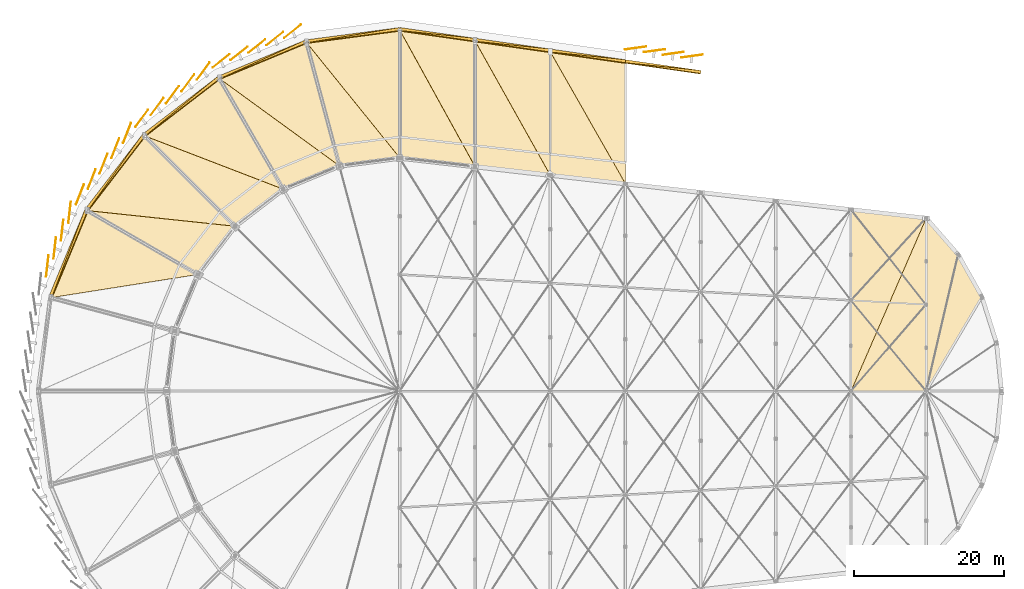
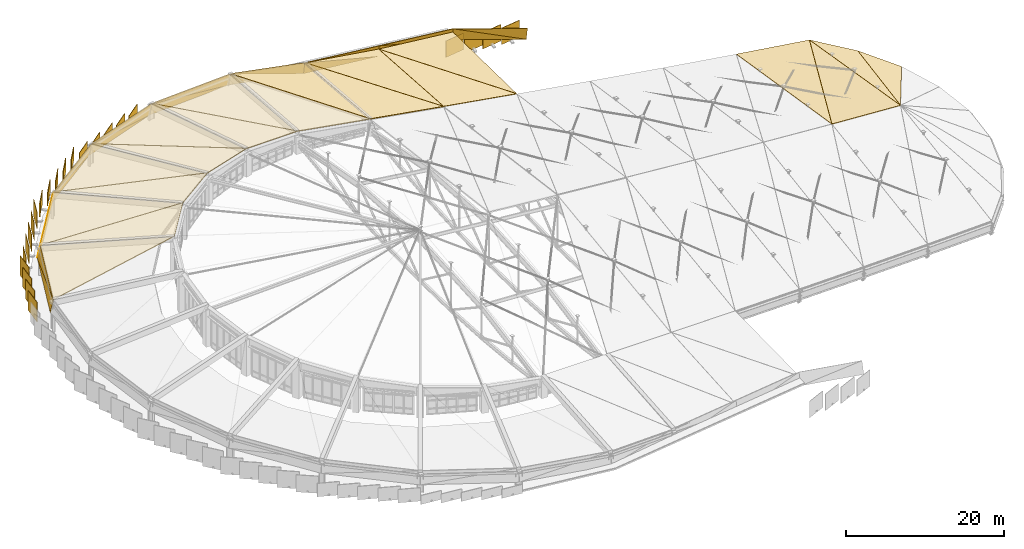
# One storey, part 68 of 68: 60 coverings.
"""IFC4 building model written with IfcOpenShell, lengths in metres."""

from ifc_helpers import new_model, si_unit, direction, frame, origin, origin_2d, place, context, subcontext, project, spatial, polyline, rectangle, outline, extrude, material, layer, layer_set, type_object, element, save


model = new_model("IFC4")

# Units and contexts
model_context = context("Model", 3, precision=1e-05, world=origin(), true_north=direction((0.0, 1.0)))
body_context = subcontext(model_context, "Body", "Model", "MODEL_VIEW")
ifc_project = project(units=[si_unit("LENGTHUNIT", "METRE"), si_unit("AREAUNIT", "SQUARE_METRE"), si_unit("VOLUMEUNIT", "CUBIC_METRE"), si_unit("PLANEANGLEUNIT", "RADIAN"), si_unit("MASSUNIT", "GRAM", prefix="KILO")], contexts=[model_context])

# Site, building, storey
site_placement = place(None, origin())
site = spatial("IfcSite", under=ifc_project, at=site_placement, CompositionType="ELEMENT")
building_placement = place(site_placement, origin())
building = spatial("IfcBuilding", under=site, at=building_placement, Name="Sohan Crest Arena", CompositionType="ELEMENT")
storey_placement = place(building_placement, frame((0.0, 0.0, 27.0)))
storey = spatial("IfcBuildingStorey", under=building, at=storey_placement, Name="RF", CompositionType="ELEMENT", Elevation=27.0)

# Coverings
ifc_material_1 = material(Name="Standing-seam insulated acoustic roof liner", Category="aluminium")
ifc_layer_1 = layer(ifc_material_1, 0.114990234375, Name="Standing-seam insulated acoustic roof liner")
ifc_layer_set_1 = layer_set([ifc_layer_1], Name="Standing-seam insulated acoustic roof liner")
covering_type_1 = type_object("IfcCoveringType", Name="COV-RF2", PredefinedType="ROOFING", material=ifc_layer_set_1)
covering_1_placement = place(storey_placement, frame((175.402099609375, 90.5400390625, -2.7060546875), z_axis=(0.296065447531, 0.14316557398, 0.944377503547), x_axis=(-0.491480358456, 0.870608246218, 0.022098390654)))
element("IfcCovering", 1, at=covering_1_placement, inside=storey, type_object=covering_type_1, Name="Standing-seam acoustic roof covering RF-CV-033", PredefinedType="ROOFING", context=body_context, shape_type="SweptSolid", body=[
    extrude(outline(polyline([(0.0, 0.0), (6.429872924986192, -1.734723475976807e-16), (-7.1728371186850035, 13.332230407111991), (0.0, 0.0)])), origin(), (0.0, 0.0, -1.0), 0.114990234375),
])
covering_2_placement = place(storey_placement, frame((172.237060546875, 96.14501953125, -2.56396484375), z_axis=(0.234364478694, 0.160814032028, 0.958755515358), x_axis=(-0.65834199579, 0.751913639659, 0.034809410721)))
element("IfcCovering", 2, at=covering_2_placement, inside=storey, type_object=covering_type_1, Name="Standing-seam acoustic roof covering RF-CV-034", PredefinedType="ROOFING", context=body_context, shape_type="SweptSolid", body=[
    extrude(outline(polyline([(0.0, 0.0), (6.431506551995299, -2.0816681711721685e-16), (-10.693792295661725, 15.761565971846352), (0.0, 0.0)])), origin(), (0.0, 0.0, -1.0), 0.114990234375),
])
covering_3_placement = place(storey_placement, frame((167.987060546875, 100.985107421875, -2.340087890625), z_axis=(0.079049473462, 0.157283308497, 0.984384651248), x_axis=(-0.991647406109, 0.113360935681, 0.061520079796)))
element("IfcCovering", 3, at=covering_3_placement, inside=storey, type_object=covering_type_1, Name="Standing-seam acoustic roof covering RF-CV-035", PredefinedType="ROOFING", context=body_context, shape_type="SweptSolid", body=[
    extrude(outline(polyline([(0.0, 0.0), (10.064041318783786, 1.3877787807814457e-16), (7.569456190165673, 24.27274253792306), (0.0, 0.0)])), origin(), (0.0, 0.0, -1.0), 0.114990234375),
])
covering_4_placement = place(storey_placement, frame((167.992919921875, 100.968994140625, -2.340087890625), z_axis=(0.061045388491, 0.165110990997, 0.984383980567), x_axis=(-0.39251653499, -0.902793791766, 0.175767287367)))
element("IfcCovering", 4, at=covering_4_placement, inside=storey, type_object=covering_type_1, Name="Standing-seam acoustic roof covering RF-CV-036", PredefinedType="ROOFING", context=body_context, shape_type="SweptSolid", body=[
    extrude(outline(polyline([(0.0, 0.0), (25.425630716407746, -1.9914625504213745e-15), (21.399541607322334, 9.152794627910483), (0.0, 0.0)])), origin(), (0.0, 0.0, -1.0), 0.114990234375),
])
covering_5_placement = place(storey_placement, frame((97.991943359375, 109.02197265625, 3.27197265625), z_axis=(0.050367447576, 0.085043371256, 0.995103384192), x_axis=(0.0, 0.996368019697, -0.08515144934)))
element("IfcCovering", 5, at=covering_5_placement, inside=storey, type_object=covering_type_1, Name="Standing-seam acoustic roof covering RF-CV-049", PredefinedType="ROOFING", context=body_context, shape_type="SweptSolid", body=[
    extrude(outline(polyline([(0.0, 0.0), (17.02790948497241, 0.0), (15.335465261930256, 12.413705256790529), (0.0, 0.0)])), origin(), (0.0, 0.0, -1.0), 0.114990234375),
])
covering_6_placement = place(storey_placement, frame((97.986083984375, 109.010009765625, 3.27197265625), z_axis=(0.080535463488, 0.109243871098, 0.990747099793), x_axis=(-0.628385122436, 0.777132095967, -0.034609873136)))
element("IfcCovering", 6, at=covering_6_placement, inside=storey, type_object=covering_type_1, Name="Standing-seam acoustic roof covering RF-CV-050", PredefinedType="ROOFING", context=body_context, shape_type="SweptSolid", body=[
    extrude(outline(polyline([(0.0, 0.0), (19.730246494863795, 4.718447854656915e-16), (4.18591879415617, 6.949148391085508), (0.0, 0.0)])), origin(), (0.0, 0.0, -1.0), 0.114990234375),
])
covering_7_placement = place(storey_placement, frame((89.962890625, 107.962890625, 4.0390625), z_axis=(0.023764008276, 0.094427667193, 0.995248053291), x_axis=(-0.257875109561, 0.962418298802, -0.085155422612)))
element("IfcCovering", 7, at=covering_7_placement, inside=storey, type_object=covering_type_1, Name="Standing-seam acoustic roof covering RF-CV-051", PredefinedType="ROOFING", context=body_context, shape_type="SweptSolid", body=[
    extrude(outline(polyline([(0.0, 0.0), (17.027114978644033, -2.914335439641036e-16), (15.338168815716916, 12.412947981430916), (0.0, 0.0)])), origin(), (0.0, 0.0, -1.0), 0.114990234375),
])
covering_8_placement = place(storey_placement, frame((89.9609375, 107.949951171875, 4.0390625), z_axis=(0.045551338616, 0.124122815708, 0.99122076359), x_axis=(-0.808080883622, 0.587940398529, -0.036487988452)))
element("IfcCovering", 8, at=covering_8_placement, inside=storey, type_object=covering_type_1, Name="Standing-seam acoustic roof covering RF-CV-052", PredefinedType="ROOFING", context=body_context, shape_type="SweptSolid", body=[
    extrude(outline(polyline([(0.0, 0.0), (19.73171812613237, 1.2073675392798577e-15), (4.185832923773577, 6.945971145096835), (0.0, 0.0)])), origin(), (0.0, 0.0, -1.0), 0.114990234375),
])
covering_9_placement = place(storey_placement, frame((82.48193359375, 104.862060546875, 4.76904296875), z_axis=(-0.007817407945, 0.093739295611, 0.995566086501), x_axis=(-0.498207610236, 0.862865871432, -0.085156708605)))
element("IfcCovering", 9, at=covering_9_placement, inside=storey, type_object=covering_type_1, Name="Standing-seam acoustic roof covering RF-CV-053", PredefinedType="ROOFING", context=body_context, shape_type="SweptSolid", body=[
    extrude(outline(polyline([(0.0, 0.0), (17.02685784392425, -1.1032841307212493e-15), (15.346208693990494, 12.40850660611722), (0.0, 0.0)])), origin(), (0.0, 0.0, -1.0), 0.114990234375),
])
covering_10_placement = place(storey_placement, frame((82.48291015625, 104.847900390625, 4.76904296875), z_axis=(0.003912997801, 0.12384040374, 0.992294433548), x_axis=(-0.932528440258, 0.358750428053, -0.041095480069)))
element("IfcCovering", 10, at=covering_10_placement, inside=storey, type_object=covering_type_1, Name="Standing-seam acoustic roof covering RF-CV-054", PredefinedType="ROOFING", context=body_context, shape_type="SweptSolid", body=[
    extrude(outline(polyline([(0.0, 0.0), (19.735385859824568, 1.942890293094024e-16), (4.18446371224711, 6.937197780232343), (0.0, 0.0)])), origin(), (0.0, 0.0, -1.0), 0.114990234375),
])
covering_11_placement = place(storey_placement, frame((76.05908203125, 99.928955078125, 5.407958984375), z_axis=(-0.039873474629, 0.080496667056, 0.995957023477), x_axis=(-0.704538690199, 0.704538690199, -0.08514968012)))
element("IfcCovering", 11, at=covering_11_placement, inside=storey, type_object=covering_type_1, Name="Standing-seam acoustic roof covering RF-CV-055", PredefinedType="ROOFING", context=body_context, shape_type="SweptSolid", body=[
    extrude(outline(polyline([(0.0, 0.0), (17.02826328686984, 9.020562075079397e-17), (15.3597883049684, 12.403655679457707), (0.0, 0.0)])), origin(), (0.0, 0.0, -1.0), 0.114990234375),
])
covering_12_placement = place(storey_placement, frame((76.06396484375, 99.9169921875, 5.407958984375), z_axis=(-0.037109766296, 0.105580503115, 0.993718080045), x_axis=(-0.993284354656, 0.105150480163, -0.048265591447)))
element("IfcCovering", 12, at=covering_12_placement, inside=storey, type_object=covering_type_1, Name="Standing-seam acoustic roof covering RF-CV-056", PredefinedType="ROOFING", context=body_context, shape_type="SweptSolid", body=[
    extrude(outline(polyline([(0.0, 0.0), (19.74244655051211, 4.163336342344337e-16), (4.187252745382127, 6.924581844562927), (0.0, 0.0)])), origin(), (0.0, 0.0, -1.0), 0.114990234375),
])
covering_13_placement = place(storey_placement, frame((71.1298828125, 93.50390625, 5.905029296875), z_axis=(-0.066691254211, 0.054781515904, 0.99626866965), x_axis=(-0.862859707458, 0.498218389695, -0.085156100279)))
element("IfcCovering", 13, at=covering_13_placement, inside=storey, type_object=covering_type_1, Name="Standing-seam acoustic roof covering RF-CV-057", PredefinedType="ROOFING", context=body_context, shape_type="SweptSolid", body=[
    extrude(outline(polyline([(0.0, 0.0), (17.026979477957447, 2.220446049250313e-16), (15.373317901697241, 12.40012902382404), (0.0, 0.0)])), origin(), (0.0, 0.0, -1.0), 0.114990234375),
])
covering_14_placement = place(storey_placement, frame((127.992919921875, 105.593017578125, 0.587890625), z_axis=(0.002365908166, 0.016560546918, 0.999860065591), x_axis=(0.0, 0.999862863972, -0.016560593268)))
element("IfcCovering", 14, at=covering_14_placement, inside=storey, type_object=covering_type_1, Name="Standing-seam acoustic roof covering RF-CV-111", PredefinedType="ROOFING", context=body_context, shape_type="SweptSolid", body=[
    extrude(outline(polyline([(0.0, 0.0), (16.11329369746797, 2.168404344971009e-19), (17.538879421490787, 9.980008400444632), (0.0, 0.0)])), origin(), (0.0, 0.0, -1.0), 0.114990234375),
])
covering_15_placement = place(storey_placement, frame((127.987060546875, 105.5830078125, 0.587890625), z_axis=(0.093410699905, 0.068271830998, 0.993284147782), x_axis=(-0.494554756656, 0.869045875046, -0.013223453912)))
element("IfcCovering", 15, at=covering_15_placement, inside=storey, type_object=covering_type_1, Name="Standing-seam acoustic roof covering RF-CV-112", PredefinedType="ROOFING", context=body_context, shape_type="SweptSolid", body=[
    extrude(outline(polyline([(0.0, 0.0), (20.179727996596498, 1.491862189340054e-16), (5.9159530113368985, 8.163543006691086), (0.0, 0.0)])), origin(), (0.0, 0.0, -1.0), 0.114990234375),
])
covering_16_placement = place(storey_placement, frame((117.992919921875, 106.737060546875, 1.447998046875), z_axis=(0.066920646942, 0.068417932428, 0.995409771669), x_axis=(0.0, 0.997646194246, -0.068571649433)))
element("IfcCovering", 16, at=covering_16_placement, inside=storey, type_object=covering_type_1, Name="Standing-seam acoustic roof covering RF-CV-113", PredefinedType="ROOFING", context=body_context, shape_type="SweptSolid", body=[
    extrude(outline(polyline([(0.0, 0.0), (16.434680138421086, -1.3877787807814457e-17), (17.81708325721878, 10.002402846218144), (0.0, 0.0)])), origin(), (0.0, 0.0, -1.0), 0.114990234375),
])
covering_17_placement = place(storey_placement, frame((117.987060546875, 106.72705078125, 1.447998046875), z_axis=(0.098846336152, 0.086170930041, 0.991364702138), x_axis=(-0.48843104729, 0.872181229437, -0.02711116117)))
element("IfcCovering", 17, at=covering_17_placement, inside=storey, type_object=covering_type_1, Name="Standing-seam acoustic roof covering RF-CV-114", PredefinedType="ROOFING", context=body_context, shape_type="SweptSolid", body=[
    extrude(outline(polyline([(0.0, 0.0), (20.432731547512162, -1.1102230246251565e-15), (5.844433727997373, 8.218562443965363), (0.0, 0.0)])), origin(), (0.0, 0.0, -1.0), 0.114990234375),
])
covering_18_placement = place(storey_placement, frame((107.992919921875, 107.8798828125, 2.343994140625), z_axis=(0.104433952215, 0.086121494262, 0.990795961766), x_axis=(0.0, 0.996243596753, -0.086595010993)))
element("IfcCovering", 18, at=covering_18_placement, inside=storey, type_object=covering_type_1, Name="Standing-seam acoustic roof covering RF-CV-115", PredefinedType="ROOFING", context=body_context, shape_type="SweptSolid", body=[
    extrude(outline(polyline([(0.0, 0.0), (16.744049746588125, -2.7755575615628914e-17), (18.084360101043377, 10.034852806620545), (0.0, 0.0)])), origin(), (0.0, 0.0, -1.0), 0.114990234375),
])
covering_19_placement = place(storey_placement, frame((107.987060546875, 107.8701171875, 2.343994140625), z_axis=(0.101848056804, 0.08470865895, 0.991186872605), x_axis=(-0.482550815236, 0.875504275229, -0.025238359092)))
element("IfcCovering", 19, at=covering_19_placement, inside=storey, type_object=covering_type_1, Name="Standing-seam acoustic roof covering RF-CV-116", PredefinedType="ROOFING", context=body_context, shape_type="SweptSolid", body=[
    extrude(outline(polyline([(0.0, 0.0), (20.68171921719702, 4.163336342344337e-17), (5.791262866326451, 8.259782750849553), (0.0, 0.0)])), origin(), (0.0, 0.0, -1.0), 0.114990234375),
])
ifc_material_2 = material(Name="Glazed ivory trencadis ceramic cladding", Category="masonry")
ifc_layer_2 = layer(ifc_material_2, 0.06494140625, Name="Glazed ivory trencadis ceramic cladding")
ifc_layer_set_2 = layer_set([ifc_layer_2], Name="Glazed ivory trencadis ceramic cladding")
covering_type_2 = type_object("IfcCoveringType", Name="COV-SC-IV", PredefinedType="CLADDING", material=ifc_layer_set_2)
covering_20_placement = place(storey_placement, frame((97.9541015625, 126.346923828125, -0.10888671875), z_axis=(-0.115232737871, 0.971697500457, 0.206216836677), x_axis=(-0.98958873119, -0.13031805223, 0.061084763775)))
element("IfcCovering", 20, at=covering_20_placement, inside=storey, type_object=covering_type_2, Name="Rising white parabolic roof-edge nose fascia NF-0639", PredefinedType="CLADDING", context=body_context, shape_type="SweptSolid", body=[
    extrude(outline(polyline([(0.0, 0.0), (12.553796654686424, 0.0), (12.66917241511472, 1.9384630790696722), (0.0, 0.0)])), origin(), (0.0, 0.0, -1.0), 0.0849609375),
])
covering_21_placement = place(storey_placement, frame((97.9541015625, 126.346923828125, -0.10888671875), z_axis=(-0.115226508258, 0.971692857842, 0.206242192128), x_axis=(-0.965162729612, -0.158619050475, 0.20808868829)))
element("IfcCovering", 21, at=covering_21_placement, inside=storey, type_object=covering_type_2, Name="Rising white parabolic roof-edge nose fascia NF-0640", PredefinedType="CLADDING", context=body_context, shape_type="SweptSolid", body=[
    extrude(outline(polyline([(0.0, 0.0), (12.816613000041002, -4.440892098500626e-16), (0.4071827236377576, 1.898479696569255), (0.0, 0.0)])), origin(), (0.0, 0.0, -1.0), 0.0849609375),
])
covering_22_placement = place(storey_placement, frame((85.443115234375, 124.68701171875, 0.657958984375), z_axis=(-0.363355565582, 0.908637516103, 0.205792607474), x_axis=(-0.922329665907, -0.382002417512, 0.058156172523)))
element("IfcCovering", 22, at=covering_22_placement, inside=storey, type_object=covering_type_2, Name="Rising white parabolic roof-edge nose fascia NF-0641", PredefinedType="CLADDING", context=body_context, shape_type="SweptSolid", body=[
    extrude(outline(polyline([(0.0, 0.0), (12.552072068627503, 1.1102230246251565e-16), (12.662403232080717, 1.9385770069499504), (0.0, 0.0)])), origin(), (0.0, 0.0, -1.0), 0.0849609375),
])
covering_23_placement = place(storey_placement, frame((85.443115234375, 124.68701171875, 0.657958984375), z_axis=(-0.363399625182, 0.908655312189, 0.205636173979), x_axis=(-0.891813168828, -0.403129360098, 0.205319241506)))
element("IfcCovering", 23, at=covering_23_placement, inside=storey, type_object=covering_type_2, Name="Rising white parabolic roof-edge nose fascia NF-0642", PredefinedType="CLADDING", context=body_context, shape_type="SweptSolid", body=[
    extrude(outline(polyline([(0.0, 0.0), (12.809938970334057, 0.0), (0.40255202052273625, 1.899460654716483), (0.0, 0.0)])), origin(), (0.0, 0.0, -1.0), 0.0849609375),
])
for number, where, z_axis, x_axis, name in (
    (24, (83.75390625, 125.85888671875, -0.12451171875), (0.0, 0.0, 1.0), (-0.782608156852, -0.622514636638, 0.0), "Upper nose rotated white scale panel SC-0643"),
    (25, (81.373046875, 124.873046875, -0.12451171875), (0.0, 0.0, 1.0), (-0.782608156852, -0.622514636638, 0.0), "Upper nose rotated white scale panel SC-0644"),
    (26, (78.992919921875, 123.886962890625, -0.12451171875), (0.0, 0.0, 1.0), (-0.782608156852, -0.622514636638, 0.0), "Upper nose rotated white scale panel SC-0645"),
    (27, (76.612060546875, 122.90087890625, -0.12451171875), (0.0, 0.0, 1.0), (-0.782608156852, -0.622514636638, 0.0), "Upper nose rotated white scale panel SC-0646"),
    (28, (74.23193359375, 121.9150390625, -0.12451171875), (0.0, 0.0, 1.0), (-0.782608156852, -0.622514636638, 0.0), "Upper nose rotated white scale panel SC-0647"),
):
    element("IfcCovering", number, at=place(storey_placement, frame(where, z_axis=z_axis, x_axis=x_axis)), inside=storey, type_object=covering_type_2, Name=name, PredefinedType="CLADDING", context=body_context, shape_type="SweptSolid", body=[
        extrude(rectangle(XDim=2.85009765625, YDim=0.06494140625, at=origin_2d()), origin(), (0.0, 0.0, 1.0), 1.373046875),
    ])
covering_24_placement = place(storey_placement, frame((73.787109375, 119.846923828125, 1.387939453125), z_axis=(-0.587288343158, 0.782667438898, 0.206213680631), x_axis=(-0.792330648522, -0.607961364042, 0.050942352166)))
element("IfcCovering", 29, at=covering_24_placement, inside=storey, type_object=covering_type_2, Name="Rising white parabolic roof-edge nose fascia NF-0648", PredefinedType="CLADDING", context=body_context, shape_type="SweptSolid", body=[
    extrude(outline(polyline([(0.0, 0.0), (12.546734280586904, -2.220446049250313e-16), (12.644255207337746, 1.9391865944940327), (0.0, 0.0)])), origin(), (0.0, 0.0, -1.0), 0.0849609375),
])
covering_25_placement = place(storey_placement, frame((73.787109375, 119.846923828125, 1.387939453125), z_axis=(-0.587345671982, 0.782675467721, 0.206019838442), x_axis=(-0.758124437597, -0.62116849358, 0.198486875387)))
element("IfcCovering", 30, at=covering_25_placement, inside=storey, type_object=covering_type_2, Name="Rising white parabolic roof-edge nose fascia NF-0649", PredefinedType="CLADDING", context=body_context, shape_type="SweptSolid", body=[
    extrude(outline(polyline([(0.0, 0.0), (12.792092651187023, 0.0), (0.3904421177665718, 1.902147138220964), (0.0, 0.0)])), origin(), (0.0, 0.0, -1.0), 0.0849609375),
])
for number, where, z_axis, x_axis, name in (
    (31, (71.85205078125, 120.541015625, -0.12451171875), (0.0, 0.0, 1.0), (-0.594822786751, -0.803856860617, 0.0), "Upper nose rotated white scale panel SC-0650"),
    (32, (69.80810546875, 118.972900390625, -0.12451171875), (0.0, 0.0, 1.0), (-0.594822786751, -0.803856860617, 0.0), "Upper nose rotated white scale panel SC-0651"),
    (33, (67.763916015625, 117.404052734375, -0.12451171875), (0.0, 0.0, 1.0), (-0.594822786751, -0.803856860617, 0.0), "Upper nose rotated white scale panel SC-0652"),
    (34, (65.719970703125, 115.8359375, -0.12451171875), (0.0, 0.0, 1.0), (-0.594822786751, -0.803856860617, 0.0), "Upper nose rotated white scale panel SC-0653"),
    (35, (63.676025390625, 114.26708984375, -0.12451171875), (0.0, 0.0, 1.0), (-0.594822786751, -0.803856860617, 0.0), "Upper nose rotated white scale panel SC-0654"),
):
    element("IfcCovering", number, at=place(storey_placement, frame(where, z_axis=z_axis, x_axis=x_axis)), inside=storey, type_object=covering_type_2, Name=name, PredefinedType="CLADDING", context=body_context, shape_type="SweptSolid", body=[
        extrude(rectangle(XDim=2.85009765625, YDim=0.06494140625, at=origin_2d()), origin(), (0.0, 0.0, 1.0), 2.056884765625),
    ])
covering_26_placement = place(storey_placement, frame((63.781005859375, 112.154052734375, 2.027099609375), z_axis=(-0.771342293702, 0.602152879021, 0.206016931906), x_axis=(-0.608273828775, -0.792737870756, 0.039618398462)))
element("IfcCovering", 36, at=covering_26_placement, inside=storey, type_object=covering_type_2, Name="Rising white parabolic roof-edge nose fascia NF-0655", PredefinedType="CLADDING", context=body_context, shape_type="SweptSolid", body=[
    extrude(outline(polyline([(0.0, 0.0), (12.540289137311671, 2.7755575615628914e-16), (12.614789052245563, 1.940375877360645), (0.0, 0.0)])), origin(), (0.0, 0.0, -1.0), 0.0849609375),
])
covering_27_placement = place(storey_placement, frame((63.781005859375, 112.154052734375, 2.027099609375), z_axis=(-0.771286148751, 0.602158301264, 0.20621119505), x_axis=(-0.572747277413, -0.797928659743, 0.187804180404)))
element("IfcCovering", 37, at=covering_27_placement, inside=storey, type_object=covering_type_2, Name="Rising white parabolic roof-edge nose fascia NF-0656", PredefinedType="CLADDING", context=body_context, shape_type="SweptSolid", body=[
    extrude(outline(polyline([(0.0, 0.0), (12.763148568362649, 0.0), (0.36863754261099735, 1.9063214161304052), (0.0, 0.0)])), origin(), (0.0, 0.0, -1.0), 0.0849609375),
])
for number, where, z_axis, x_axis, name in (
    (38, (61.73291015625, 112.323974609375, -0.12451171875), (0.0, 0.0, 1.0), (-0.366501226724, -0.930417567982, 0.0), "Upper nose rotated white scale panel SC-0657"),
    (39, (60.1640625, 110.280029296875, -0.12451171875), (0.0, 0.0, 1.0), (-0.366501226724, -0.930417567982, 0.0), "Upper nose rotated white scale panel SC-0658"),
    (40, (58.595947265625, 108.236083984375, -0.12451171875), (0.0, 0.0, 1.0), (-0.366501226724, -0.930417567982, 0.0), "Upper nose rotated white scale panel SC-0659"),
    (41, (57.027099609375, 106.19189453125, -0.12451171875), (0.0, 0.0, 1.0), (-0.366501226724, -0.930417567982, 0.0), "Upper nose rotated white scale panel SC-0660"),
    (42, (55.458984375, 104.14794921875, -0.12451171875), (0.0, 0.0, 1.0), (-0.366501226724, -0.930417567982, 0.0), "Upper nose rotated white scale panel SC-0661"),
):
    element("IfcCovering", number, at=place(storey_placement, frame(where, z_axis=z_axis, x_axis=x_axis)), inside=storey, type_object=covering_type_2, Name=name, PredefinedType="CLADDING", context=body_context, shape_type="SweptSolid", body=[
        extrude(rectangle(XDim=2.85009765625, YDim=0.06494140625, at=origin_2d()), origin(), (0.0, 0.0, 1.0), 2.625),
    ])
covering_28_placement = place(storey_placement, frame((56.10791015625, 102.134033203125, 2.52392578125), z_axis=(-0.902148891535, 0.379243548991, 0.205673790385), x_axis=(-0.38252906664, -0.923601239311, 0.025144858708)))
element("IfcCovering", 43, at=covering_28_placement, inside=storey, type_object=covering_type_2, Name="Rising white parabolic roof-edge nose fascia NF-0662", PredefinedType="CLADDING", context=body_context, shape_type="SweptSolid", body=[
    extrude(outline(polyline([(0.0, 0.0), (12.534790930056278, 1.1102230246251565e-16), (12.582605931663716, 1.9408206736760252), (0.0, 0.0)])), origin(), (0.0, 0.0, -1.0), 0.0849609375),
])
covering_29_placement = place(storey_placement, frame((56.10791015625, 102.134033203125, 2.52392578125), z_axis=(-0.902113775104, 0.379255289271, 0.205806128014), x_axis=(-0.347646174842, -0.921341944755, 0.173986085517)))
element("IfcCovering", 44, at=covering_29_placement, inside=storey, type_object=covering_type_2, Name="Rising white parabolic roof-edge nose fascia NF-0663", PredefinedType="CLADDING", context=body_context, shape_type="SweptSolid", body=[
    extrude(outline(polyline([(0.0, 0.0), (12.731408284981956, 0.0), (0.3433042203565236, 1.9111242737690732), (0.0, 0.0)])), origin(), (0.0, 0.0, -1.0), 0.0849609375),
])
for number, where, z_axis, x_axis, name in (
    (45, (54.0849609375, 101.76806640625, -0.12548828125), (0.0, 0.0, 1.0), (-0.113203213768, -0.993571855677, 0.0), "Upper nose rotated white scale panel SC-0664"),
    (46, (53.09912109375, 99.387939453125, -0.12548828125), (0.0, 0.0, 1.0), (-0.113203213768, -0.993571855677, 0.0), "Upper nose rotated white scale panel SC-0665"),
    (47, (52.113037109375, 97.007080078125, -0.12548828125), (0.0, 0.0, 1.0), (-0.113203213768, -0.993571855677, 0.0), "Upper nose rotated white scale panel SC-0666"),
    (48, (51.126953125, 94.626953125, -0.12548828125), (0.0, 0.0, 1.0), (-0.113203213768, -0.993571855677, 0.0), "Upper nose rotated white scale panel SC-0667"),
):
    element("IfcCovering", number, at=place(storey_placement, frame(where, z_axis=z_axis, x_axis=x_axis)), inside=storey, type_object=covering_type_2, Name=name, PredefinedType="CLADDING", context=body_context, shape_type="SweptSolid", body=[
        extrude(rectangle(XDim=2.85009765625, YDim=0.06494140625, at=origin_2d()), origin(), (0.0, 0.0, 1.0), 3.031005859375),
    ])
covering_30_placement = place(storey_placement, frame((138.049072265625, 120.632080078125, -3.610107421875), z_axis=(0.190647526987, 0.959966406243, 0.205226751029), x_axis=(-0.958478169197, 0.136868623331, 0.250173098313)))
element("IfcCovering", 49, at=covering_30_placement, inside=storey, type_object=covering_type_2, Name="Rising white parabolic roof-edge nose fascia NF-0753", PredefinedType="CLADDING", context=body_context, shape_type="SweptSolid", body=[
    extrude(outline(polyline([(0.0, 0.0), (10.433205806213808, -4.440892098500626e-16), (10.908265278244006, 1.8823232797791989), (0.0, 0.0)])), origin(), (0.0, 0.0, -1.0), 0.0849609375),
])
covering_31_placement = place(storey_placement, frame((138.049072265625, 120.632080078125, -3.610107421875), z_axis=(0.190637023291, 0.959973863972, 0.205201622416), x_axis=(-0.908457501631, 0.093315942933, 0.407427419947)))
element("IfcCovering", 50, at=covering_31_placement, inside=storey, type_object=covering_type_2, Name="Rising white parabolic roof-edge nose fascia NF-0754", PredefinedType="CLADDING", context=body_context, shape_type="SweptSolid", body=[
    extrude(outline(polyline([(0.0, 0.0), (11.069480218607488, 8.881784197001252e-16), (0.7883221775292478, 1.7743444767789047), (0.0, 0.0)])), origin(), (0.0, 0.0, -1.0), 0.0849609375),
])
for number, where, z_axis, x_axis, name in (
    (51, (136.85498046875, 122.547119140625, -4.62451171875), (0.0, 0.0, 1.0), (-0.990509463238, -0.137444546037, 0.0), "Upper nose rotated white scale panel SC-0755"),
    (52, (134.35498046875, 122.904052734375, -4.62451171875), (0.0, 0.0, 1.0), (-0.990509463238, -0.137444546037, 0.0), "Upper nose rotated white scale panel SC-0756"),
    (53, (131.85498046875, 123.260986328125, -4.62451171875), (0.0, 0.0, 1.0), (-0.990509463238, -0.137444546037, 0.0), "Upper nose rotated white scale panel SC-0757"),
    (54, (129.35498046875, 123.617919921875, -4.62451171875), (0.0, 0.0, 1.0), (-0.990509463238, -0.137444546037, 0.0), "Upper nose rotated white scale panel SC-0758"),
):
    element("IfcCovering", number, at=place(storey_placement, frame(where, z_axis=z_axis, x_axis=x_axis)), inside=storey, type_object=covering_type_2, Name=name, PredefinedType="CLADDING", context=body_context, shape_type="SweptSolid", body=[
        extrude(rectangle(XDim=2.85009765625, YDim=0.06494140625, at=origin_2d()), origin(), (0.0, 0.0, 1.0), 2.544921875),
    ])
covering_32_placement = place(storey_placement, frame((128.050048828125, 122.06005859375, -1.0), z_axis=(0.138436743276, 0.968797027952, 0.205590823587), x_axis=(-0.989944175879, 0.141458575718, 0.0)))
element("IfcCovering", 55, at=covering_32_placement, inside=storey, type_object=covering_type_2, Name="Rising white parabolic roof-edge nose fascia NF-0759", PredefinedType="CLADDING", context=body_context, shape_type="SweptSolid", body=[
    extrude(outline(polyline([(0.0, 0.0), (10.10157970890193, 1.1102230246251565e-16), (10.102255236646936, 1.9413738953244686), (0.0, 0.0)])), origin(), (0.0, 0.0, -1.0), 0.0849609375),
])
covering_33_placement = place(storey_placement, frame((128.050048828125, 122.06005859375, -1.0), z_axis=(0.138436743276, 0.968797027952, 0.205590823587), x_axis=(-0.977644401221, 0.100507939, 0.184687787792)))
element("IfcCovering", 56, at=covering_33_placement, inside=storey, type_object=covering_type_2, Name="Rising white parabolic roof-edge nose fascia NF-0760", PredefinedType="CLADDING", context=body_context, shape_type="SweptSolid", body=[
    extrude(outline(polyline([(0.0, 0.0), (10.287103259314925, -4.440892098500626e-16), (0.3670379172803441, 1.906362039347076), (0.0, 0.0)])), origin(), (0.0, 0.0, -1.0), 0.0849609375),
])
covering_34_placement = place(storey_placement, frame((118.049072265625, 123.489013671875, -1.0), z_axis=(0.138346048658, 0.968824440596, 0.205522685181), x_axis=(-0.989957709412, 0.141363834042, 0.0)))
element("IfcCovering", 57, at=covering_34_placement, inside=storey, type_object=covering_type_2, Name="Rising white parabolic roof-edge nose fascia NF-0761", PredefinedType="CLADDING", context=body_context, shape_type="SweptSolid", body=[
    extrude(outline(polyline([(0.0, 0.0), (10.10144161202185, -5.551115123125783e-17), (10.101188582159832, 1.9413455044221832), (0.0, 0.0)])), origin(), (0.0, 0.0, -1.0), 0.0849609375),
])
covering_35_placement = place(storey_placement, frame((118.049072265625, 123.489013671875, -1.0), z_axis=(0.138346048658, 0.968824440596, 0.205522685181), x_axis=(-0.977649529025, 0.100423286169, 0.184706691791)))
element("IfcCovering", 58, at=covering_35_placement, inside=storey, type_object=covering_type_2, Name="Rising white parabolic roof-edge nose fascia NF-0762", PredefinedType="CLADDING", context=body_context, shape_type="SweptSolid", body=[
    extrude(outline(polyline([(0.0, 0.0), (10.286050414998773, -2.220446049250313e-16), (0.3661528296317924, 1.9065032223725624), (0.0, 0.0)])), origin(), (0.0, 0.0, -1.0), 0.0849609375),
])
covering_36_placement = place(storey_placement, frame((108.050048828125, 124.9169921875, -1.0), z_axis=(0.156365252587, 0.966071261029, 0.205563193196), x_axis=(-0.986114674663, 0.140911357197, 0.087873988343)))
element("IfcCovering", 59, at=covering_36_placement, inside=storey, type_object=covering_type_2, Name="Rising white parabolic roof-edge nose fascia NF-0763", PredefinedType="CLADDING", context=body_context, shape_type="SweptSolid", body=[
    extrude(outline(polyline([(0.0, 0.0), (10.140808424150382, 0.0), (10.308433335090145, 1.9341238189468304), (0.0, 0.0)])), origin(), (0.0, 0.0, -1.0), 0.0849609375),
])
covering_37_placement = place(storey_placement, frame((108.050048828125, 124.9169921875, -1.0), z_axis=(0.156365252587, 0.966071261029, 0.205563193196), x_axis=(-0.958889424604, 0.098579810487, 0.266107294802)))
element("IfcCovering", 60, at=covering_37_placement, inside=storey, type_object=covering_type_2, Name="Rising white parabolic roof-edge nose fascia NF-0764", PredefinedType="CLADDING", context=body_context, shape_type="SweptSolid", body=[
    extrude(outline(polyline([(0.0, 0.0), (10.488309338068513, 4.440892098500626e-16), (0.5214172265963628, 1.8700420138578684), (0.0, 0.0)])), origin(), (0.0, 0.0, -1.0), 0.0849609375),
])

save(model, "model.ifc")
